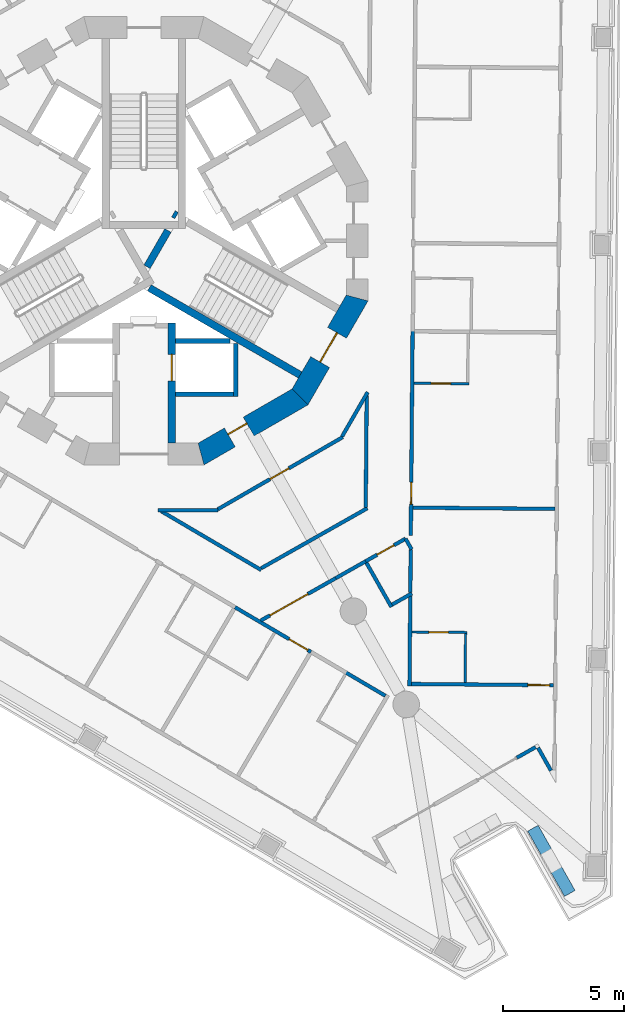
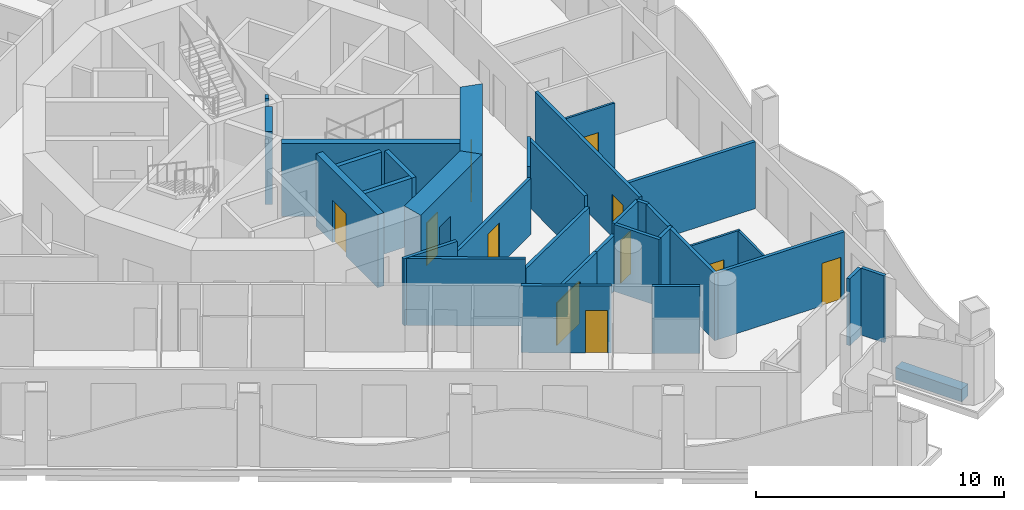
# One storey, part 5 of 17: 34 walls, 11 doors, 11 openings.
"""IFC4 building model written with IfcOpenShell, lengths in metres."""

from ifc_helpers import new_model, si_unit, direction, frame, frame_2d, origin, place, context, subcontext, project, spatial, polyline, rectangle, outline, extrude, material, layer, layer_set, type_object, element, fill, save


model = new_model("IFC4")

# Units and contexts
model_context = context("Model", 3, precision=1e-05, world=origin(), true_north=direction((0.0, 1.0)))
body_context = subcontext(model_context, "Body", "Model", "MODEL_VIEW")
ifc_project = project(units=[si_unit("LENGTHUNIT", "METRE"), si_unit("AREAUNIT", "SQUARE_METRE"), si_unit("VOLUMEUNIT", "CUBIC_METRE"), si_unit("PLANEANGLEUNIT", "RADIAN"), si_unit("MASSUNIT", "GRAM", prefix="KILO")], contexts=[model_context])

# Site, building, storey
site_placement = place(None, origin())
site = spatial("IfcSite", under=ifc_project, at=site_placement, CompositionType="ELEMENT")
building_placement = place(site_placement, origin())
building = spatial("IfcBuilding", under=site, at=building_placement, Name="Trine Commons Tower", CompositionType="ELEMENT")
storey_placement = place(building_placement, frame((0.0, 0.0, 168.300048828125)))
storey = spatial("IfcBuildingStorey", under=building, at=storey_placement, Name="L43", CompositionType="ELEMENT", Elevation=168.300048828125)

# Walls
ifc_material_1 = material(Name="Aluminium-framed insulated wall panel", Category="aluminium")
ifc_layer_1 = layer(ifc_material_1, 0.14990234375)
ifc_layer_set_1 = layer_set([ifc_layer_1], Name="Aluminium-framed insulated wall panel")
wall_type_1 = type_object("IfcWallType", Name="Glazed frame wall 150, EI 60", PredefinedType="SOLIDWALL", material=ifc_layer_set_1)
wall_1_placement = place(storey_placement, frame((96.91552734375, 40.450927734375, 0.0), z_axis=(0.0, 0.0, 1.0), x_axis=(-0.492439994984, 0.870346397327, 0.0)))
element("IfcWall", 1, at=wall_1_placement, inside=storey, type_object=wall_type_1, Name="Glazed frame wall R9", PredefinedType="SOLIDWALL", context=body_context, shape_type="SweptSolid", body=[
    extrude(outline(polyline([(0.1494140625, 0.074951171875), (0.1494140625, -0.074951171875), (1.235107421875, -0.074951171875), (1.235107421875, 0.074951171875), (0.1494140625, 0.074951171875)])), origin(), (0.0, 0.0, 1.0), 3.300048828125),
])
wall_2_placement = place(storey_placement, frame((96.30078125, 41.6083984375, 0.0), z_axis=(0.0, 0.0, 1.0), x_axis=(-0.870353598469, -0.492427267353, 0.0)))
element("IfcWall", 2, at=wall_2_placement, inside=storey, type_object=wall_type_1, Name="Glazed frame wall P3.1", PredefinedType="SOLIDWALL", context=body_context, shape_type="SweptSolid", body=[
    extrude(outline(polyline([(0.110107421875, -0.074951171875), (1.0, -0.074951171875), (1.0, 0.074951171875), (0.110107421875, 0.074951171875), (0.110107421875, -0.074951171875)])), origin(), (0.0, 0.0, 1.0), 3.300048828125),
])
ifc_material_2 = material(Name="Planter trough, precast concrete C40/50", Category="concrete")
ifc_layer_2 = layer(ifc_material_2, 0.5)
ifc_layer_set_2 = layer_set([ifc_layer_2], Name="Planter trough, precast concrete C40/50")
wall_type_2 = type_object("IfcWallType", Name="Planter trough 500x600", PredefinedType="PARAPET", material=ifc_layer_set_2)
wall_3_placement = place(storey_placement, frame((97.619384765625, 35.500732421875, 0.0), z_axis=(0.0, 0.0, 1.0), x_axis=(-0.492428288095, 0.870353020954, 0.0)))
element("IfcWall", 3, at=wall_3_placement, inside=storey, type_object=wall_type_2, Name="Planter 7", PredefinedType="PARAPET", context=body_context, shape_type="SweptSolid", body=[
    extrude(rectangle(XDim=3.10009765625, YDim=0.5, at=frame_2d((1.550048828125, 0.0))), origin(), (0.0, 0.0, 1.0), 0.599853515625),
])

# Wall, opening, door
ifc_material_3 = material(Name="Concrete C60/75", Category="concrete")
ifc_layer_3 = layer(ifc_material_3, 0.300048828125)
ifc_layer_set_3 = layer_set([ifc_layer_3], Name="Concrete C60/75")
wall_type_3 = type_object("IfcWallType", Name="RC shear wall 300 mm, C60/75", PredefinedType="SHEAR", material=ifc_layer_set_3)
wall_4_placement = place(storey_placement, frame((81.14990234375, 59.10009765625, 0.0), z_axis=(0.0, 0.0, 1.0), x_axis=(0.0, -1.0, 0.0)))
wall_4 = element("IfcWall", 4, at=wall_4_placement, inside=storey, type_object=wall_type_3, Name="Core cross wall SWB-04 L43", PredefinedType="SHEAR", context=body_context, shape_type="SweptSolid", body=[
    extrude(rectangle(XDim=4.97314453125, YDim=0.300048828125, at=frame_2d((2.486572265625, 0.0))), origin(), (0.0, 0.0, 1.0), 3.599853515625),
])
opening_1_placement = place(wall_4_placement, frame((1.300048828125, 0.0, 0.0)))
opening_1 = element("IfcOpeningElement", 5, at=opening_1_placement, cuts=wall_4, Name="Opening LD9", PredefinedType="OPENING", context=body_context, shape_type="SweptSolid", body=[
    extrude(rectangle(XDim=1.10009765625, YDim=2.10009765625, at=frame_2d((0.550048828125, 1.050048828125))), frame((0.0, 0.159912109375, 0.0), z_axis=(0.0, -1.0, 0.0), x_axis=(1.0, 0.0, 0.0)), (0.0, 0.0, 1.0), 0.320068359375),
])
ifc_material_4 = material(Name="Stainless steel sliding door leaves", Category="steel")
door_type_1 = type_object("IfcDoorType", Name="Lift landing door, centre-opening sliding 1100 x 2100, FD90", OperationType="DOUBLE_DOOR_SLIDING", PredefinedType="DOOR", material=ifc_material_4)
door_1_placement = place(opening_1_placement, origin())
door_1 = element("IfcDoor", 6, at=door_1_placement, inside=storey, type_object=door_type_1, Name="Lift landing door FF1 L43", OperationType="DOUBLE_DOOR_SLIDING", OverallHeight=2.10009765625, OverallWidth=1.10009765625, PredefinedType="DOOR", context=body_context, shape_type="SweptSolid", body=[
    extrude(rectangle(XDim=1.10009765625, YDim=2.10009765625, at=frame_2d((0.550048828125, 1.050048828125))), frame((0.0, 0.02490234375, 0.0), z_axis=(0.0, -1.0, 0.0), x_axis=(1.0, 0.0, 0.0)), (0.0, 0.0, 1.0), 0.050048828125),
])
fill(opening_1, door_1)

# Walls
wall_5_placement = place(storey_placement, frame((80.1298828125, 61.424072265625, 0.0), z_axis=(0.0, 0.0, 1.0), x_axis=(0.500014901547, 0.866016800201, 0.0)))
element("IfcWall", 7, at=wall_5_placement, inside=storey, type_object=wall_type_3, Name="Core cross wall SWB-12 L43", PredefinedType="SHEAR", context=body_context, shape_type="SweptSolid", body=[
    extrude(rectangle(XDim=1.734375, YDim=0.300048828125, at=frame_2d((0.8671875, 0.0))), origin(), (0.0, 0.0, 1.0), 3.599853515625),
])
wall_6_placement = place(storey_placement, frame((80.22509765625, 60.552001953125, 0.0), z_axis=(0.0, 0.0, 1.0), x_axis=(0.866028135082, -0.499995269223, 0.0)))
element("IfcWall", 8, at=wall_6_placement, inside=storey, type_object=wall_type_3, Name="Core cross wall SWB-13 L43", PredefinedType="SHEAR", context=body_context, shape_type="SweptSolid", body=[
    extrude(rectangle(XDim=7.2041015625, YDim=0.300048828125, at=frame_2d((3.60205078125, 0.0))), origin(), (0.0, 0.0, 1.0), 3.599853515625),
])
wall_7_placement = place(storey_placement, frame((81.220947265625, 63.614013671875, 0.0), z_axis=(0.0, 0.0, 1.0), x_axis=(0.867737973955, -0.497021939713, 0.0)))
element("IfcWall", 9, at=wall_7_placement, inside=storey, type_object=wall_type_3, Name="Core cross wall SWB-15 L43", PredefinedType="SHEAR", context=body_context, shape_type="SweptSolid", body=[
    extrude(rectangle(XDim=0.14892578125, YDim=0.300048828125, at=frame_2d((0.074462890625, 0.0))), origin(), (0.0, 0.0, 1.0), 3.599853515625),
])

# Wall, opening, door
ifc_layer_4 = layer(ifc_material_3, 0.89990234375)
ifc_layer_set_4 = layer_set([ifc_layer_4], Name="Concrete C60/75")
wall_type_4 = type_object("IfcWallType", Name="RC shear wall 900 mm, C60/75", PredefinedType="SHEAR", material=ifc_layer_set_4)
wall_8_placement = place(storey_placement, frame((82.259765625, 53.61669921875, 0.0), z_axis=(0.0, 0.0, 1.0), x_axis=(0.866003133579, 0.500038571144, 0.0)))
wall_8 = element("IfcWall", 10, at=wall_8_placement, inside=storey, type_object=wall_type_4, Name="Core wall CWE-11 L43", PredefinedType="SHEAR", context=body_context, shape_type="SweptSolid", body=[
    extrude(outline(polyline([(0.0, -0.449951171875), (4.96923828125, -0.449951171875), (4.72802734375, 0.449951171875), (0.2412109375, 0.449951171875), (0.0, -0.449951171875)])), origin(), (0.0, 0.0, 1.0), 3.599853515625),
])
opening_2_placement = place(wall_8_placement, frame((1.4951171875, 0.0, 0.0)))
opening_2 = element("IfcOpeningElement", 11, at=opening_2_placement, cuts=wall_8, Name="Opening K10.18", PredefinedType="OPENING", context=body_context, shape_type="SweptSolid", body=[
    extrude(rectangle(XDim=0.89990234375, YDim=2.10009765625, at=frame_2d((0.449951171875, 1.050048828125))), frame((0.0, 0.4599609375, 0.0), z_axis=(0.0, -1.0, 0.0), x_axis=(1.0, 0.0, 0.0)), (0.0, 0.0, 1.0), 0.919921875),
])
ifc_material_5 = material(Name="Steel door leaf, fire-rated", Category="steel")
door_type_2 = type_object("IfcDoorType", Name="Core room door, single leaf 900 x 2100, FD30S", OperationType="SINGLE_SWING_LEFT", PredefinedType="DOOR", material=ifc_material_5)
door_2_placement = place(opening_2_placement, origin())
door_2 = element("IfcDoor", 12, at=door_2_placement, inside=storey, type_object=door_type_2, Name="Door to Parcel store L43", OperationType="SINGLE_SWING_LEFT", OverallHeight=2.10009765625, OverallWidth=0.89990234375, PredefinedType="DOOR", context=body_context, shape_type="SweptSolid", body=[
    extrude(rectangle(XDim=0.89990234375, YDim=2.10009765625, at=frame_2d((0.449951171875, 1.050048828125))), frame((0.0, 0.1748046875, 0.0), z_axis=(0.0, -1.0, 0.0), x_axis=(1.0, 0.0, 0.0)), (0.0, 0.0, 1.0), 0.050048828125),
])
fill(opening_2, door_2)

wall_9_placement = place(storey_placement, frame((86.3984375, 55.936767578125, 0.0), z_axis=(0.0, 0.0, 1.0), x_axis=(0.500038571144, 0.866003133579, 0.0)))
wall_9 = element("IfcWall", 13, at=wall_9_placement, inside=storey, type_object=wall_type_4, Name="Core wall CWE-12 L43", PredefinedType="SHEAR", context=body_context, shape_type="SweptSolid", body=[
    extrude(outline(polyline([(0.0, -0.449951171875), (4.96923828125, -0.449951171875), (4.72802734375, 0.449951171875), (0.2412109375, 0.449951171875), (0.0, -0.449951171875)])), origin(), (0.0, 0.0, 1.0), 3.599853515625),
])
opening_3_placement = place(wall_9_placement, frame((1.78466796875, 0.0, 0.0)))
opening_3 = element("IfcOpeningElement", 14, at=opening_3_placement, cuts=wall_9, Name="Opening K10.03", PredefinedType="OPENING", context=body_context, shape_type="SweptSolid", body=[
    extrude(rectangle(XDim=1.39990234375, YDim=2.10009765625, at=frame_2d((0.699951171875, 1.050048828125))), frame((0.0, 0.4599609375, 0.0), z_axis=(0.0, -1.0, 0.0), x_axis=(1.0, 0.0, 0.0)), (0.0, 0.0, 1.0), 0.919921875),
])
ifc_material_6 = material(Name="Steel door leaves, fire-rated", Category="steel")
door_type_3 = type_object("IfcDoorType", Name="Stair door, double leaf 1400 x 2100, FD90", OperationType="DOUBLE_DOOR_SINGLE_SWING", PredefinedType="DOOR", material=ifc_material_6)
door_3_placement = place(opening_3_placement, origin())
door_3 = element("IfcDoor", 15, at=door_3_placement, inside=storey, type_object=door_type_3, Name="Stair door to Exit stair ST3B L43", OperationType="DOUBLE_DOOR_SINGLE_SWING", OverallHeight=2.10009765625, OverallWidth=1.39990234375, PredefinedType="DOOR", context=body_context, shape_type="SweptSolid", body=[
    extrude(rectangle(XDim=1.39990234375, YDim=2.10009765625, at=frame_2d((0.699951171875, 1.050048828125))), frame((0.0, 0.02490234375, 0.0), z_axis=(0.0, -1.0, 0.0), x_axis=(1.0, 0.0, 0.0)), (0.0, 0.0, 1.0), 0.050048828125),
])
fill(opening_3, door_3)

# Walls
ifc_material_7 = material(Name="Fire-rated gypsum shaft wall system")
ifc_layer_5 = layer(ifc_material_7, 0.199951171875)
ifc_layer_set_5 = layer_set([ifc_layer_5], Name="Fire-rated gypsum shaft wall system")
wall_type_5 = type_object("IfcWallType", Name="Shaft wall 200 mm, EI 120", PredefinedType="PARTITIONING", material=ifc_layer_set_5)
wall_10_placement = place(storey_placement, frame((81.300048828125, 56.14990234375, 0.0), z_axis=(0.0, 0.0, 1.0), x_axis=(1.0, 0.0, 0.0)))
element("IfcWall", 16, at=wall_10_placement, inside=storey, type_object=wall_type_5, Name="Shaft wall L43", PredefinedType="PARTITIONING", context=body_context, shape_type="SweptSolid", body=[
    extrude(rectangle(XDim=2.39990234375, YDim=0.199951171875, at=frame_2d((1.199951171875, 0.0))), origin(), (0.0, 0.0, 1.0), 3.300048828125),
])
wall_11_placement = place(storey_placement, frame((81.300048828125, 58.35009765625, 0.0), z_axis=(0.0, 0.0, 1.0), x_axis=(1.0, 0.0, 0.0)))
element("IfcWall", 17, at=wall_11_placement, inside=storey, type_object=wall_type_5, Name="Shaft wall L43", PredefinedType="PARTITIONING", context=body_context, shape_type="SweptSolid", body=[
    extrude(rectangle(XDim=2.264892578125, YDim=0.199951171875, at=frame_2d((1.13232421875, 0.0))), origin(), (0.0, 0.0, 1.0), 3.300048828125),
])
wall_12_placement = place(storey_placement, frame((83.800048828125, 58.257080078125, 0.0), z_axis=(0.0, 0.0, 1.0), x_axis=(0.0, -1.0, 0.0)))
element("IfcWall", 18, at=wall_12_placement, inside=storey, type_object=wall_type_5, Name="Shaft wall L43", PredefinedType="PARTITIONING", context=body_context, shape_type="SweptSolid", body=[
    extrude(rectangle(XDim=2.20703125, YDim=0.199951171875, at=frame_2d((1.103515625, 0.0))), origin(), (0.0, 0.0, 1.0), 3.300048828125),
])
ifc_material_8 = material(Name="Gypsum plasterboard on steel stud", Category="steel")
ifc_layer_6 = layer(ifc_material_8, 0.14990234375)
ifc_layer_set_6 = layer_set([ifc_layer_6], Name="Gypsum plasterboard on steel stud")
wall_type_6 = type_object("IfcWallType", Name="Unit and corridor wall 150 mm, EI 60", PredefinedType="PARTITIONING", material=ifc_layer_set_6)
wall_13_placement = place(storey_placement, frame((80.574951171875, 51.35205078125, 0.0), z_axis=(0.0, 0.0, 1.0), x_axis=(1.0, 0.0, 0.0)))
element("IfcWall", 19, at=wall_13_placement, inside=storey, type_object=wall_type_6, Name="Partition 064", PredefinedType="PARTITIONING", context=body_context, shape_type="SweptSolid", body=[
    extrude(rectangle(XDim=2.487060546875, YDim=0.14990234375, at=frame_2d((1.24365234375, 0.0))), origin(), (0.0, 0.0, 1.0), 3.300048828125),
])
wall_14_placement = place(storey_placement, frame((80.718505859375, 51.31396484375, 0.0), z_axis=(0.0, 0.0, 1.0), x_axis=(0.86168823453, -0.507438061711, 0.0)))
element("IfcWall", 20, at=wall_14_placement, inside=storey, type_object=wall_type_6, Name="Partition 065", PredefinedType="PARTITIONING", context=body_context, shape_type="SweptSolid", body=[
    extrude(rectangle(XDim=4.798828125, YDim=0.14990234375, at=frame_2d((2.3994140625, 0.0))), origin(), (0.0, 0.0, 1.0), 3.300048828125),
])

# Wall, opening, door
wall_15_placement = place(storey_placement, frame((83.052001953125, 51.389404296875, 0.0), z_axis=(0.0, 0.0, 1.0), x_axis=(0.866039280689, 0.499975963725, 0.0)))
wall_15 = element("IfcWall", 21, at=wall_15_placement, inside=storey, type_object=wall_type_6, Name="Partition 078", PredefinedType="PARTITIONING", context=body_context, shape_type="SweptSolid", body=[
    extrude(rectangle(XDim=5.974365234375, YDim=0.14990234375, at=frame_2d((2.9873046875, 0.0))), origin(), (0.0, 0.0, 1.0), 2.75),
])
opening_4_placement = place(wall_15_placement, frame((2.499755859375, 0.0, 0.0)))
opening_4 = element("IfcOpeningElement", 22, at=opening_4_placement, cuts=wall_15, Name="Opening D-5A26", PredefinedType="OPENING", context=body_context, shape_type="SweptSolid", body=[
    extrude(rectangle(XDim=0.89990234375, YDim=2.10009765625, at=frame_2d((0.449951171875, 1.050048828125))), frame((0.0, 0.0849609375, 0.0), z_axis=(0.0, -1.0, 0.0), x_axis=(1.0, 0.0, 0.0)), (0.0, 0.0, 1.0), 0.169921875),
])
ifc_material_9 = material(Name="Timber fire door set", Category="wood")
door_type_4 = type_object("IfcDoorType", Name="Service door 900 x 2100, FD30S", OperationType="NOTDEFINED", PredefinedType="DOOR", material=ifc_material_9)
door_4_placement = place(opening_4_placement, frame((0.89990234375, 0.0, 0.0), z_axis=(0.0, 0.0, 1.0), x_axis=(-1.0, 0.0, 0.0)))
door_4 = element("IfcDoor", 23, at=door_4_placement, inside=storey, type_object=door_type_4, Name="Door D-5A26", OperationType="SINGLE_SWING_RIGHT", OverallHeight=2.10009765625, OverallWidth=0.89990234375, PredefinedType="DOOR", context=body_context, shape_type="SweptSolid", body=[
    extrude(rectangle(XDim=0.89990234375, YDim=2.10009765625, at=frame_2d((0.449951171875, 1.050048828125))), frame((0.0, 0.02490234375, 0.0), z_axis=(0.0, -1.0, 0.0), x_axis=(1.0, 0.0, 0.0)), (0.0, 0.0, 1.0), 0.050048828125),
])
fill(opening_4, door_4)

wall_16_placement = place(storey_placement, frame((83.76611328125, 47.343017578125, 0.0), z_axis=(0.0, 0.0, 1.0), x_axis=(0.861641853319, -0.507516814115, 0.0)))
wall_16 = element("IfcWall", 24, at=wall_16_placement, inside=storey, type_object=wall_type_6, Name="Partition 080", PredefinedType="PARTITIONING", context=body_context, shape_type="SweptSolid", body=[
    extrude(rectangle(XDim=3.651123046875, YDim=0.14990234375, at=frame_2d((1.82568359375, 0.0))), origin(), (0.0, 0.0, 1.0), 3.300048828125),
])
opening_5_placement = place(wall_16_placement, frame((2.60107421875, 0.0, 0.0)))
opening_5 = element("IfcOpeningElement", 25, at=opening_5_placement, cuts=wall_16, Name="Opening D-5A20", PredefinedType="OPENING", context=body_context, shape_type="SweptSolid", body=[
    extrude(rectangle(XDim=0.89990234375, YDim=2.10009765625, at=frame_2d((0.449951171875, 1.050048828125))), frame((0.0, 0.0849609375, 0.0), z_axis=(0.0, -1.0, 0.0), x_axis=(1.0, 0.0, 0.0)), (0.0, 0.0, 1.0), 0.169921875),
])
door_type_5 = type_object("IfcDoorType", Name="Bedroom door 900 x 2100, FD30S", OperationType="NOTDEFINED", PredefinedType="DOOR", material=ifc_material_9)
door_5_placement = place(opening_5_placement, frame((0.89990234375, 0.0, 0.0), z_axis=(0.0, 0.0, 1.0), x_axis=(-1.0, 0.0, 0.0)))
door_5 = element("IfcDoor", 26, at=door_5_placement, inside=storey, type_object=door_type_5, Name="Door D-5A20", OperationType="SINGLE_SWING_LEFT", OverallHeight=2.10009765625, OverallWidth=0.89990234375, PredefinedType="DOOR", context=body_context, shape_type="SweptSolid", body=[
    extrude(rectangle(XDim=0.89990234375, YDim=2.10009765625, at=frame_2d((0.449951171875, 1.050048828125))), frame((0.0, 0.02490234375, 0.0), z_axis=(0.0, -1.0, 0.0), x_axis=(1.0, 0.0, 0.0)), (0.0, 0.0, 1.0), 0.050048828125),
])
fill(opening_5, door_5)

wall_17_placement = place(storey_placement, frame((84.835205078125, 46.788818359375, 0.0), z_axis=(0.0, 0.0, 1.0), x_axis=(0.870381542182, 0.492377874228, 0.0)))
wall_17 = element("IfcWall", 27, at=wall_17_placement, inside=storey, type_object=wall_type_6, Name="Partition 085", PredefinedType="PARTITIONING", context=body_context, shape_type="SweptSolid", body=[
    extrude(rectangle(XDim=3.5625, YDim=0.14990234375, at=frame_2d((1.78125, 0.0))), origin(), (0.0, 0.0, 1.0), 2.75),
])
opening_6_placement = place(wall_17_placement, frame((0.435546875, 0.0, 0.0)))
opening_6 = element("IfcOpeningElement", 28, at=opening_6_placement, cuts=wall_17, Name="Opening D-5A02", PredefinedType="OPENING", context=body_context, shape_type="SweptSolid", body=[
    extrude(rectangle(XDim=1.800048828125, YDim=2.10009765625, at=frame_2d((0.89990234375, 1.050048828125))), frame((0.0, 0.0849609375, 0.0), z_axis=(0.0, -1.0, 0.0), x_axis=(1.0, 0.0, 0.0)), (0.0, 0.0, 1.0), 0.169921875),
])
door_type_6 = type_object("IfcDoorType", Name="Cluster entrance door 1800 x 2100, double leaf, FD30S", OperationType="DOUBLE_DOOR_DOUBLE_SWING", PredefinedType="DOOR", material=ifc_material_9)
door_6_placement = place(opening_6_placement, frame((1.800048828125, 0.0, 0.0), z_axis=(0.0, 0.0, 1.0), x_axis=(-1.0, 0.0, 0.0)))
door_6 = element("IfcDoor", 29, at=door_6_placement, inside=storey, type_object=door_type_6, Name="Door D-5A02", OperationType="DOUBLE_DOOR_DOUBLE_SWING", OverallHeight=2.10009765625, OverallWidth=1.800048828125, PredefinedType="DOOR", context=body_context, shape_type="SweptSolid", body=[
    extrude(rectangle(XDim=1.800048828125, YDim=2.10009765625, at=frame_2d((0.89990234375, 1.050048828125))), frame((0.0, 0.02490234375, 0.0), z_axis=(0.0, -1.0, 0.0), x_axis=(1.0, 0.0, 0.0)), (0.0, 0.0, 1.0), 0.050048828125),
])
fill(opening_6, door_6)

# Walls
wall_18_placement = place(storey_placement, frame((84.854248046875, 48.953857421875, 0.0), z_axis=(0.0, 0.0, 1.0), x_axis=(0.870410364257, 0.492326921662, 0.0)))
element("IfcWall", 30, at=wall_18_placement, inside=storey, type_object=wall_type_6, Name="Partition 086", PredefinedType="PARTITIONING", context=body_context, shape_type="SweptSolid", body=[
    extrude(rectangle(XDim=5.041259765625, YDim=0.14990234375, at=frame_2d((2.5205078125, 0.0))), origin(), (0.0, 0.0, 1.0), 2.75),
])
wall_19_placement = place(storey_placement, frame((87.93603515625, 48.54296875, 0.0), z_axis=(0.0, 0.0, 1.0), x_axis=(0.870505283706, 0.492159070871, 0.0)))
element("IfcWall", 31, at=wall_19_placement, inside=storey, type_object=wall_type_6, Name="Partition 099", PredefinedType="PARTITIONING", context=body_context, shape_type="SweptSolid", body=[
    extrude(rectangle(XDim=1.422119140625, YDim=0.14990234375, at=frame_2d((0.7109375, 0.0))), origin(), (0.0, 0.0, 1.0), 2.75),
])
wall_20_placement = place(storey_placement, frame((88.198486328125, 54.404052734375, 0.0), z_axis=(0.0, 0.0, 1.0), x_axis=(0.499882057835, 0.866093487018, 0.0)))
element("IfcWall", 32, at=wall_20_placement, inside=storey, type_object=wall_type_6, Name="Partition 100", PredefinedType="PARTITIONING", context=body_context, shape_type="SweptSolid", body=[
    extrude(rectangle(XDim=2.11865234375, YDim=0.14990234375, at=frame_2d((1.059326171875, 0.0))), origin(), (0.0, 0.0, 1.0), 3.300048828125),
])
wall_21_placement = place(storey_placement, frame((88.327880859375, 44.656494140625, 0.0), z_axis=(0.0, 0.0, 1.0), x_axis=(0.861465294094, -0.507816450177, 0.0)))
element("IfcWall", 33, at=wall_21_placement, inside=storey, type_object=wall_type_6, Name="Partition 102", PredefinedType="PARTITIONING", context=body_context, shape_type="SweptSolid", body=[
    extrude(rectangle(XDim=1.9287109375, YDim=0.14990234375, at=frame_2d((0.96435546875, 0.0))), origin(), (0.0, 0.0, 1.0), 3.300048828125),
])

# Wall, opening, door
wall_22_placement = place(storey_placement, frame((89.16796875, 49.239013671875, 0.0), z_axis=(0.0, 0.0, 1.0), x_axis=(0.870049645281, 0.492964111013, 0.0)))
wall_22 = element("IfcWall", 34, at=wall_22_placement, inside=storey, type_object=wall_type_6, Name="Partition 104", PredefinedType="PARTITIONING", context=body_context, shape_type="SweptSolid", body=[
    extrude(rectangle(XDim=1.90673828125, YDim=0.14990234375, at=frame_2d((0.953369140625, 0.0))), origin(), (0.0, 0.0, 1.0), 3.300048828125),
])
opening_7_placement = place(wall_22_placement, frame((0.553466796875, 0.0, 0.0)))
opening_7 = element("IfcOpeningElement", 35, at=opening_7_placement, cuts=wall_22, Name="Opening D-5A04", PredefinedType="OPENING", context=body_context, shape_type="SweptSolid", body=[
    extrude(rectangle(XDim=0.800048828125, YDim=2.10009765625, at=frame_2d((0.39990234375, 1.050048828125))), frame((0.0, 0.0849609375, 0.0), z_axis=(0.0, -1.0, 0.0), x_axis=(1.0, 0.0, 0.0)), (0.0, 0.0, 1.0), 0.169921875),
])
ifc_material_10 = material(Name="Painted timber", Category="wood")
door_type_7 = type_object("IfcDoorType", Name="Toilet door 800 x 2100, NOT RATED", OperationType="NOTDEFINED", PredefinedType="DOOR", material=ifc_material_10)
door_7_placement = place(opening_7_placement, frame((0.800048828125, 0.0, 0.0), z_axis=(0.0, 0.0, 1.0), x_axis=(-1.0, 0.0, 0.0)))
door_7 = element("IfcDoor", 36, at=door_7_placement, inside=storey, type_object=door_type_7, Name="Door D-5A04", OperationType="SINGLE_SWING_LEFT", OverallHeight=2.10009765625, OverallWidth=0.800048828125, PredefinedType="DOOR", context=body_context, shape_type="SweptSolid", body=[
    extrude(rectangle(XDim=0.800048828125, YDim=2.10009765625, at=frame_2d((0.39990234375, 1.050048828125))), frame((0.0, 0.02490234375, 0.0), z_axis=(0.0, -1.0, 0.0), x_axis=(1.0, 0.0, 0.0)), (0.0, 0.0, 1.0), 0.050048828125),
])
fill(opening_7, door_7)

# Walls
wall_23_placement = place(storey_placement, frame((89.2080078125, 49.17578125, 0.0), z_axis=(0.0, 0.0, 1.0), x_axis=(0.492490202922, -0.870317987879, 0.0)))
element("IfcWall", 37, at=wall_23_placement, inside=storey, type_object=wall_type_6, Name="Partition 105", PredefinedType="PARTITIONING", context=body_context, shape_type="SweptSolid", body=[
    extrude(rectangle(XDim=2.099365234375, YDim=0.14990234375, at=frame_2d((1.0498046875, 0.0))), origin(), (0.0, 0.0, 1.0), 3.300048828125),
])
wall_24_placement = place(storey_placement, frame((89.177490234375, 51.47412109375, 0.0), z_axis=(0.0, 0.0, 1.0), x_axis=(0.008609896903, 0.999962934151, 0.0)))
element("IfcWall", 38, at=wall_24_placement, inside=storey, type_object=wall_type_6, Name="Partition 106", PredefinedType="PARTITIONING", context=body_context, shape_type="SweptSolid", body=[
    extrude(rectangle(XDim=4.6220703125, YDim=0.14990234375, at=frame_2d((2.31103515625, 0.0))), origin(), (0.0, 0.0, 1.0), 3.300048828125),
])
wall_25_placement = place(storey_placement, frame((90.270263671875, 47.450927734375, 0.0), z_axis=(0.0, 0.0, 1.0), x_axis=(0.870538616766, 0.492100108432, 0.0)))
element("IfcWall", 39, at=wall_25_placement, inside=storey, type_object=wall_type_6, Name="Partition 108", PredefinedType="PARTITIONING", context=body_context, shape_type="SweptSolid", body=[
    extrude(rectangle(XDim=0.938720703125, YDim=0.14990234375, at=frame_2d((0.46923828125, 0.0))), origin(), (0.0, 0.0, 1.0), 3.300048828125),
])
wall_26_placement = place(storey_placement, frame((90.823974609375, 50.177001953125, 0.0), z_axis=(0.0, 0.0, 1.0), x_axis=(0.493654600783, -0.869658056437, 0.0)))
element("IfcWall", 40, at=wall_26_placement, inside=storey, type_object=wall_type_6, Name="Partition 109", PredefinedType="PARTITIONING", context=body_context, shape_type="SweptSolid", body=[
    extrude(rectangle(XDim=0.50830078125, YDim=0.14990234375, at=frame_2d((0.254150390625, 0.0))), origin(), (0.0, 0.0, 1.0), 3.300048828125),
])
wall_27_placement = place(storey_placement, frame((90.98828125, 44.092041015625, 0.0), z_axis=(0.0, 0.0, 1.0), x_axis=(0.008789427608, 0.999961372235, 0.0)))
element("IfcWall", 41, at=wall_27_placement, inside=storey, type_object=wall_type_6, Name="Partition 110", PredefinedType="PARTITIONING", context=body_context, shape_type="SweptSolid", body=[
    extrude(rectangle(XDim=3.72216796875, YDim=0.14990234375, at=frame_2d((1.861083984375, 0.0))), origin(), (0.0, 0.0, 1.0), 3.300048828125),
])

# Wall, opening, door
wall_28_placement = place(storey_placement, frame((91.06396484375, 44.166259765625, 0.0), z_axis=(0.0, 0.0, 1.0), x_axis=(0.999962273479, -0.008686289076, 0.0)))
wall_28 = element("IfcWall", 42, at=wall_28_placement, inside=storey, type_object=wall_type_6, Name="Partition 111", PredefinedType="PARTITIONING", context=body_context, shape_type="SweptSolid", body=[
    extrude(rectangle(XDim=5.874267578125, YDim=0.14990234375, at=frame_2d((2.93701171875, 0.0))), origin(), (0.0, 0.0, 1.0), 3.300048828125),
])
opening_8_placement = place(wall_28_placement, frame((4.82421875, 0.0, 0.0)))
opening_8 = element("IfcOpeningElement", 43, at=opening_8_placement, cuts=wall_28, Name="Opening D-5A18", PredefinedType="OPENING", context=body_context, shape_type="SweptSolid", body=[
    extrude(rectangle(XDim=0.89990234375, YDim=2.10009765625, at=frame_2d((0.449951171875, 1.050048828125))), frame((0.0, 0.0849609375, 0.0), z_axis=(0.0, -1.0, 0.0), x_axis=(1.0, 0.0, 0.0)), (0.0, 0.0, 1.0), 0.169921875),
])
door_8_placement = place(opening_8_placement, origin())
door_8 = element("IfcDoor", 44, at=door_8_placement, inside=storey, type_object=door_type_5, Name="Door D-5A18", OperationType="SINGLE_SWING_RIGHT", OverallHeight=2.10009765625, OverallWidth=0.89990234375, PredefinedType="DOOR", context=body_context, shape_type="SweptSolid", body=[
    extrude(rectangle(XDim=0.89990234375, YDim=2.10009765625, at=frame_2d((0.449951171875, 1.050048828125))), frame((0.0, 0.02490234375, 0.0), z_axis=(0.0, -1.0, 0.0), x_axis=(1.0, 0.0, 0.0)), (0.0, 0.0, 1.0), 0.050048828125),
])
fill(opening_8, door_8)

# Wall
wall_29_placement = place(storey_placement, frame((91.022705078125, 47.950927734375, 0.0), z_axis=(0.0, 0.0, 1.0), x_axis=(0.008256220588, 0.99996591683, 0.0)))
element("IfcWall", 45, at=wall_29_placement, inside=storey, type_object=wall_type_6, Name="Partition 113", PredefinedType="PARTITIONING", context=body_context, shape_type="SweptSolid", body=[
    extrude(rectangle(XDim=1.774169921875, YDim=0.14990234375, at=frame_2d((0.88720703125, 0.0))), origin(), (0.0, 0.0, 1.0), 3.300048828125),
])

# Wall, opening, door
wall_30_placement = place(storey_placement, frame((91.0419921875, 50.300048828125, 0.0), z_axis=(0.0, 0.0, 1.0), x_axis=(0.008752775488, 0.999961693727, 0.0)))
wall_30 = element("IfcWall", 46, at=wall_30_placement, inside=storey, type_object=wall_type_6, Name="Partition 114", PredefinedType="PARTITIONING", context=body_context, shape_type="SweptSolid", body=[
    extrude(rectangle(XDim=8.53515625, YDim=0.14990234375, at=frame_2d((4.267578125, 0.0))), origin(), (0.0, 0.0, 1.0), 3.300048828125),
])
opening_9_placement = place(wall_30_placement, frame((1.31103515625, 0.0, 0.0)))
opening_9 = element("IfcOpeningElement", 47, at=opening_9_placement, cuts=wall_30, Name="Opening D-5A17", PredefinedType="OPENING", context=body_context, shape_type="SweptSolid", body=[
    extrude(rectangle(XDim=0.89990234375, YDim=2.10009765625, at=frame_2d((0.449951171875, 1.050048828125))), frame((0.0, 0.0849609375, 0.0), z_axis=(0.0, -1.0, 0.0), x_axis=(1.0, 0.0, 0.0)), (0.0, 0.0, 1.0), 0.169921875),
])
door_9_placement = place(opening_9_placement, frame((0.89990234375, 0.0, 0.0), z_axis=(0.0, 0.0, 1.0), x_axis=(-1.0, 0.0, 0.0)))
door_9 = element("IfcDoor", 48, at=door_9_placement, inside=storey, type_object=door_type_5, Name="Door D-5A17", OperationType="SINGLE_SWING_RIGHT", OverallHeight=2.10009765625, OverallWidth=0.89990234375, PredefinedType="DOOR", context=body_context, shape_type="SweptSolid", body=[
    extrude(rectangle(XDim=0.89990234375, YDim=2.10009765625, at=frame_2d((0.449951171875, 1.050048828125))), frame((0.0, 0.02490234375, 0.0), z_axis=(0.0, -1.0, 0.0), x_axis=(1.0, 0.0, 0.0)), (0.0, 0.0, 1.0), 0.050048828125),
])
fill(opening_9, door_9)

# Wall
wall_31_placement = place(storey_placement, frame((91.126953125, 51.460205078125, 0.0), z_axis=(0.0, 0.0, 1.0), x_axis=(0.999962273479, -0.008686289076, 0.0)))
element("IfcWall", 49, at=wall_31_placement, inside=storey, type_object=wall_type_6, Name="Partition 115", PredefinedType="PARTITIONING", context=body_context, shape_type="SweptSolid", body=[
    extrude(rectangle(XDim=5.874267578125, YDim=0.14990234375, at=frame_2d((2.93701171875, 0.0))), origin(), (0.0, 0.0, 1.0), 3.300048828125),
])

# Wall, opening, door
ifc_layer_7 = layer(ifc_material_8, 0.10009765625)
ifc_layer_set_7 = layer_set([ifc_layer_7], Name="Gypsum plasterboard on steel stud")
wall_type_7 = type_object("IfcWallType", Name="Unit partition 100 mm, no rating", PredefinedType="PARTITIONING", material=ifc_layer_set_7)
wall_32_placement = place(storey_placement, frame((91.08203125, 46.31640625, 0.0), z_axis=(0.0, 0.0, 1.0), x_axis=(0.999962219299, -0.008692524121, 0.0)))
wall_32 = element("IfcWall", 50, at=wall_32_placement, inside=storey, type_object=wall_type_7, Name="Partition 112", PredefinedType="PARTITIONING", context=body_context, shape_type="SweptSolid", body=[
    extrude(rectangle(XDim=2.27490234375, YDim=0.10009765625, at=frame_2d((1.137451171875, 0.0))), origin(), (0.0, 0.0, 1.0), 3.300048828125),
])
opening_10_placement = place(wall_32_placement, frame((0.71240234375, 0.0, 0.0)))
opening_10 = element("IfcOpeningElement", 51, at=opening_10_placement, cuts=wall_32, Name="Opening D-5A43", PredefinedType="OPENING", context=body_context, shape_type="SweptSolid", body=[
    extrude(rectangle(XDim=0.800048828125, YDim=2.10009765625, at=frame_2d((0.39990234375, 1.050048828125))), frame((0.0, 0.06005859375, 0.0), z_axis=(0.0, -1.0, 0.0), x_axis=(1.0, 0.0, 0.0)), (0.0, 0.0, 1.0), 0.1201171875),
])
door_type_8 = type_object("IfcDoorType", Name="Internal door 800 x 2100, NOT RATED", OperationType="NOTDEFINED", PredefinedType="DOOR", material=ifc_material_10)
door_10_placement = place(opening_10_placement, origin())
door_10 = element("IfcDoor", 52, at=door_10_placement, inside=storey, type_object=door_type_8, Name="Door D-5A43", OperationType="SINGLE_SWING_LEFT", OverallHeight=2.10009765625, OverallWidth=0.800048828125, PredefinedType="DOOR", context=body_context, shape_type="SweptSolid", body=[
    extrude(rectangle(XDim=0.800048828125, YDim=2.10009765625, at=frame_2d((0.39990234375, 1.050048828125))), frame((0.0, 0.02490234375, 0.0), z_axis=(0.0, -1.0, 0.0), x_axis=(1.0, 0.0, 0.0)), (0.0, 0.0, 1.0), 0.050048828125),
])
fill(opening_10, door_10)

wall_33_placement = place(storey_placement, frame((91.172119140625, 56.605224609375, 0.0), z_axis=(0.0, 0.0, 1.0), x_axis=(0.999963146346, -0.008585216968, 0.0)))
wall_33 = element("IfcWall", 53, at=wall_33_placement, inside=storey, type_object=wall_type_7, Name="Partition 116", PredefinedType="PARTITIONING", context=body_context, shape_type="SweptSolid", body=[
    extrude(rectangle(XDim=2.27490234375, YDim=0.10009765625, at=frame_2d((1.137451171875, 0.0))), origin(), (0.0, 0.0, 1.0), 3.300048828125),
])
opening_11_placement = place(wall_33_placement, frame((0.71240234375, 0.0, 0.0)))
opening_11 = element("IfcOpeningElement", 54, at=opening_11_placement, cuts=wall_33, Name="Opening D-5A42", PredefinedType="OPENING", context=body_context, shape_type="SweptSolid", body=[
    extrude(rectangle(XDim=0.800048828125, YDim=2.10009765625, at=frame_2d((0.39990234375, 1.050048828125))), frame((0.0, 0.06005859375, 0.0), z_axis=(0.0, -1.0, 0.0), x_axis=(1.0, 0.0, 0.0)), (0.0, 0.0, 1.0), 0.1201171875),
])
door_11_placement = place(opening_11_placement, frame((0.800048828125, 0.0, 0.0), z_axis=(0.0, 0.0, 1.0), x_axis=(-1.0, 0.0, 0.0)))
door_11 = element("IfcDoor", 55, at=door_11_placement, inside=storey, type_object=door_type_8, Name="Door D-5A42", OperationType="SINGLE_SWING_RIGHT", OverallHeight=2.10009765625, OverallWidth=0.800048828125, PredefinedType="DOOR", context=body_context, shape_type="SweptSolid", body=[
    extrude(rectangle(XDim=0.800048828125, YDim=2.10009765625, at=frame_2d((0.39990234375, 1.050048828125))), frame((0.0, 0.02490234375, 0.0), z_axis=(0.0, -1.0, 0.0), x_axis=(1.0, 0.0, 0.0)), (0.0, 0.0, 1.0), 0.050048828125),
])
fill(opening_11, door_11)

# Wall
wall_34_placement = place(storey_placement, frame((93.28955078125, 44.221923828125, 0.0), z_axis=(0.0, 0.0, 1.0), x_axis=(0.008438518102, 0.999964395072, 0.0)))
element("IfcWall", 56, at=wall_34_placement, inside=storey, type_object=wall_type_7, Name="Partition 133", PredefinedType="PARTITIONING", context=body_context, shape_type="SweptSolid", body=[
    extrude(rectangle(XDim=2.025146484375, YDim=0.10009765625, at=frame_2d((1.0126953125, 0.0))), origin(), (0.0, 0.0, 1.0), 3.300048828125),
])

save(model, "model.ifc")
